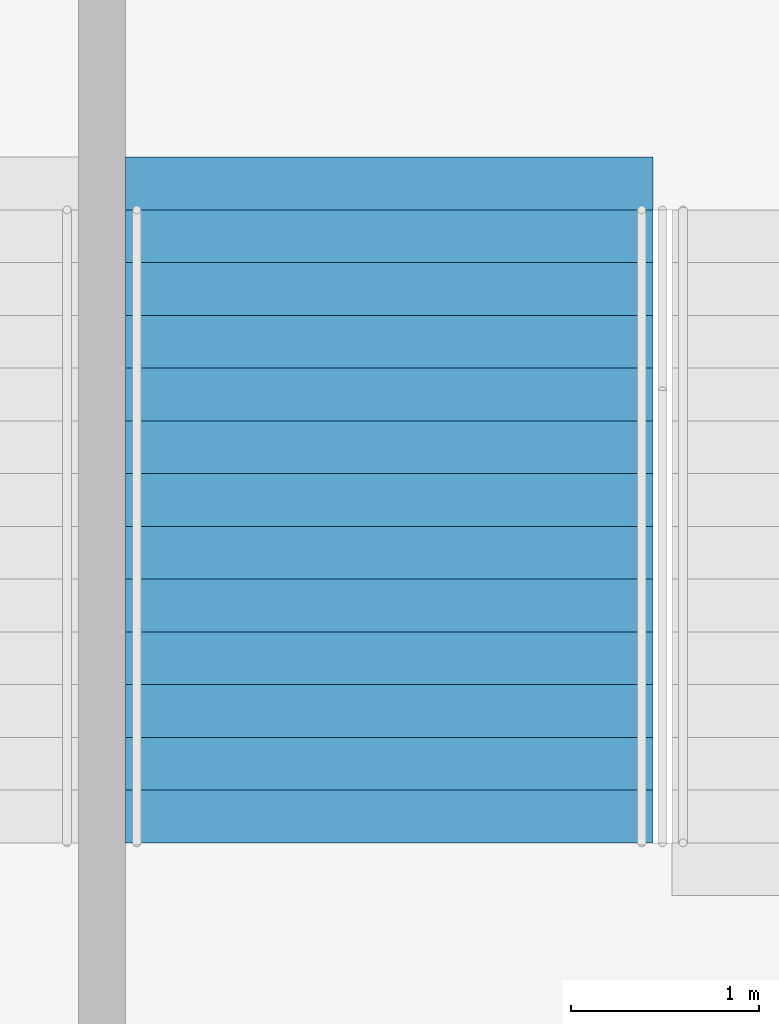
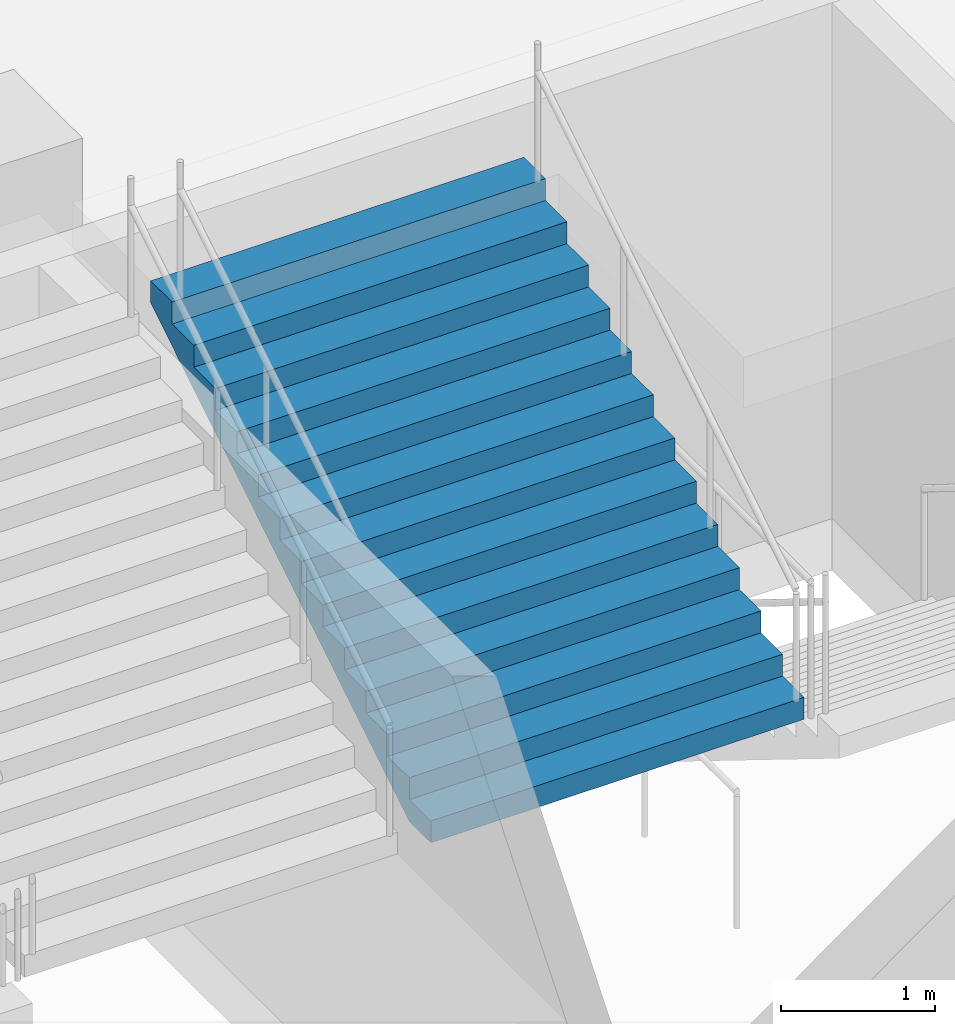
# One storey, part 123 of 199: 1 stair flight, 1 element without a shape of its own.
"""IFC4 building model written with IfcOpenShell, lengths in metres."""

from ifc_helpers import new_model, si_unit, direction, frame, origin, place, context, subcontext, project, spatial, faceted_brep, material, type_object, element, aggregate, save


model = new_model("IFC4")

# Units and contexts
model_context = context("Model", 3, precision=1e-05, world=origin(), true_north=direction((0.0, 1.0)))
body_context = subcontext(model_context, "Body", "Model", "MODEL_VIEW")
ifc_project = project(units=[si_unit("LENGTHUNIT", "METRE"), si_unit("AREAUNIT", "SQUARE_METRE"), si_unit("VOLUMEUNIT", "CUBIC_METRE"), si_unit("PLANEANGLEUNIT", "RADIAN"), si_unit("MASSUNIT", "GRAM", prefix="KILO")], contexts=[model_context])

# Site, building, storey
site_placement = place(None, origin())
site = spatial("IfcSite", under=ifc_project, at=site_placement, CompositionType="ELEMENT")
building_placement = place(site_placement, origin())
building = spatial("IfcBuilding", under=site, at=building_placement, Name="Ogive Plaza Stadium", CompositionType="ELEMENT")
storey_placement = place(building_placement, frame((0.0, 0.0, 9.0)))
storey = spatial("IfcBuildingStorey", under=building, at=storey_placement, Name="L02", CompositionType="ELEMENT", Elevation=9.0)

# Stair, stair flight
ifc_material_1 = material(Name="Concrete C40/50", Category="concrete")
stair_type = type_object("IfcStairType", Name="Exit stair", PredefinedType="STRAIGHT_RUN_STAIR", material=ifc_material_1)
stair_placement = place(storey_placement, origin())
stair = element("IfcStair", 1, at=stair_placement, inside=storey, type_object=stair_type, Name="Exit stair ST12B L02 to L03", PredefinedType="STRAIGHT_RUN_STAIR")
ifc_material_2 = material(Name="Concrete C40/50", Category="concrete")
stair_flight_type = type_object("IfcStairFlightType", Name="Exit stair flight", PredefinedType="STRAIGHT", material=ifc_material_2)
stair_flight_placement = place(storey_placement, frame((35.52490234375, -98.2099609375, 2.25), z_axis=(0.0, 0.0, 1.0), x_axis=(0.0, 1.0, 0.0)))
stair_flight = element("IfcStairFlight", 2, at=stair_flight_placement, type_object=stair_flight_type, Name="ST12B flight 2", NumberOfRisers=13, NumberOfTreads=12, PredefinedType="STRAIGHT", RiserHeight=0.173076923, TreadLength=0.28, context=body_context, shape_type="Brep", body=[
    faceted_brep([(0.28515625, -1.39990234375, 0.0), (3.639892578125, -1.39990234375, 2.07373046875), (3.639892578125, -1.39990234375, 2.25), (3.360107421875, -1.39990234375, 2.25), (3.360107421875, -1.39990234375, 2.076904296875), (3.080078125, -1.39990234375, 2.076904296875), (3.080078125, -1.39990234375, 1.90380859375), (2.800048828125, -1.39990234375, 1.90380859375), (2.800048828125, -1.39990234375, 1.730712890625), (2.52001953125, -1.39990234375, 1.730712890625), (2.52001953125, -1.39990234375, 1.5576171875), (2.239990234375, -1.39990234375, 1.5576171875), (2.239990234375, -1.39990234375, 1.384521484375), (1.9599609375, -1.39990234375, 1.384521484375), (1.9599609375, -1.39990234375, 1.21142578125), (1.679931640625, -1.39990234375, 1.21142578125), (1.679931640625, -1.39990234375, 1.03857421875), (1.39990234375, -1.39990234375, 1.03857421875), (1.39990234375, -1.39990234375, 0.865478515625), (1.1201171875, -1.39990234375, 0.865478515625), (1.1201171875, -1.39990234375, 0.6923828125), (0.840087890625, -1.39990234375, 0.6923828125), (0.840087890625, -1.39990234375, 0.519287109375), (0.56005859375, -1.39990234375, 0.519287109375), (0.56005859375, -1.39990234375, 0.34619140625), (0.280029296875, -1.39990234375, 0.34619140625), (0.280029296875, -1.39990234375, 0.173095703125), (0.0, -1.39990234375, 0.173095703125), (0.0, -1.39990234375, 0.0), (0.0, 1.39990234375, 0.0), (0.0, 1.39990234375, 0.173095703125), (0.280029296875, 1.39990234375, 0.173095703125), (0.280029296875, 1.39990234375, 0.34619140625), (0.56005859375, 1.39990234375, 0.34619140625), (0.56005859375, 1.39990234375, 0.519287109375), (0.840087890625, 1.39990234375, 0.519287109375), (0.840087890625, 1.39990234375, 0.6923828125), (1.1201171875, 1.39990234375, 0.6923828125), (1.1201171875, 1.39990234375, 0.865478515625), (1.39990234375, 1.39990234375, 0.865478515625), (1.39990234375, 1.39990234375, 1.03857421875), (1.679931640625, 1.39990234375, 1.03857421875), (1.679931640625, 1.39990234375, 1.21142578125), (1.9599609375, 1.39990234375, 1.21142578125), (1.9599609375, 1.39990234375, 1.384521484375), (2.239990234375, 1.39990234375, 1.384521484375), (2.239990234375, 1.39990234375, 1.5576171875), (2.52001953125, 1.39990234375, 1.5576171875), (2.52001953125, 1.39990234375, 1.730712890625), (2.800048828125, 1.39990234375, 1.730712890625), (2.800048828125, 1.39990234375, 1.90380859375), (3.080078125, 1.39990234375, 1.90380859375), (3.080078125, 1.39990234375, 2.076904296875), (3.360107421875, 1.39990234375, 2.076904296875), (3.360107421875, 1.39990234375, 2.25), (3.639892578125, 1.39990234375, 2.25), (3.639892578125, 1.39990234375, 2.07373046875), (0.28515625, 1.39990234375, 0.0), (0.28515625, -1.0888671875, 0.0), (3.639892578125, -1.0888671875, 2.07373046875), (0.28515625, -0.77783203125, 0.0), (3.639892578125, -0.77783203125, 2.07373046875), (0.28515625, -0.466796875, 0.0), (3.639892578125, -0.466796875, 2.07373046875), (0.28515625, -0.155517578125, 0.0), (3.639892578125, -0.155517578125, 2.07373046875), (0.28515625, 0.155517578125, 0.0), (3.639892578125, 0.155517578125, 2.07373046875), (0.28515625, 0.466796875, 0.0), (3.639892578125, 0.466796875, 2.07373046875), (0.28515625, 0.77783203125, 0.0), (3.639892578125, 0.77783203125, 2.07373046875), (0.28515625, 1.0888671875, 0.0), (3.639892578125, 1.0888671875, 2.07373046875), (3.639892578125, -1.0888671875, 2.25), (3.639892578125, -0.77783203125, 2.25), (3.639892578125, -0.466796875, 2.25), (3.639892578125, -0.155517578125, 2.25), (3.639892578125, 0.155517578125, 2.25), (3.639892578125, 0.466796875, 2.25), (3.639892578125, 0.77783203125, 2.25), (3.639892578125, 1.0888671875, 2.25), (3.360107421875, -1.0888671875, 2.25), (3.360107421875, -0.77783203125, 2.25), (3.360107421875, -0.466796875, 2.25), (3.360107421875, -0.155517578125, 2.25), (3.360107421875, 0.155517578125, 2.25), (3.360107421875, 0.466796875, 2.25), (3.360107421875, 0.77783203125, 2.25), (3.360107421875, 1.0888671875, 2.25), (3.360107421875, -1.0888671875, 2.076904296875), (3.360107421875, -0.77783203125, 2.076904296875), (3.360107421875, -0.466796875, 2.076904296875), (3.360107421875, -0.155517578125, 2.076904296875), (3.360107421875, 0.155517578125, 2.076904296875), (3.360107421875, 0.466796875, 2.076904296875), (3.360107421875, 0.77783203125, 2.076904296875), (3.360107421875, 1.0888671875, 2.076904296875), (3.080078125, -1.0888671875, 2.076904296875), (3.080078125, -0.77783203125, 2.076904296875), (3.080078125, -0.466796875, 2.076904296875), (3.080078125, -0.155517578125, 2.076904296875), (3.080078125, 0.155517578125, 2.076904296875), (3.080078125, 0.466796875, 2.076904296875), (3.080078125, 0.77783203125, 2.076904296875), (3.080078125, 1.0888671875, 2.076904296875), (3.080078125, -1.0888671875, 1.90380859375), (3.080078125, -0.77783203125, 1.90380859375), (3.080078125, -0.466796875, 1.90380859375), (3.080078125, -0.155517578125, 1.90380859375), (3.080078125, 0.155517578125, 1.90380859375), (3.080078125, 0.466796875, 1.90380859375), (3.080078125, 0.77783203125, 1.90380859375), (3.080078125, 1.0888671875, 1.90380859375), (2.800048828125, -1.0888671875, 1.90380859375), (2.800048828125, -0.77783203125, 1.90380859375), (2.800048828125, -0.466796875, 1.90380859375), (2.800048828125, -0.155517578125, 1.90380859375), (2.800048828125, 0.155517578125, 1.90380859375), (2.800048828125, 0.466796875, 1.90380859375), (2.800048828125, 0.77783203125, 1.90380859375), (2.800048828125, 1.0888671875, 1.90380859375), (2.800048828125, -1.0888671875, 1.730712890625), (2.800048828125, -0.77783203125, 1.730712890625), (2.800048828125, -0.466796875, 1.730712890625), (2.800048828125, -0.155517578125, 1.730712890625), (2.800048828125, 0.155517578125, 1.730712890625), (2.800048828125, 0.466796875, 1.730712890625), (2.800048828125, 0.77783203125, 1.730712890625), (2.800048828125, 1.0888671875, 1.730712890625), (2.52001953125, -1.0888671875, 1.730712890625), (2.52001953125, -0.77783203125, 1.730712890625), (2.52001953125, -0.466796875, 1.730712890625), (2.52001953125, -0.155517578125, 1.730712890625), (2.52001953125, 0.155517578125, 1.730712890625), (2.52001953125, 0.466796875, 1.730712890625), (2.52001953125, 0.77783203125, 1.730712890625), (2.52001953125, 1.0888671875, 1.730712890625), (2.52001953125, -1.0888671875, 1.5576171875), (2.52001953125, -0.77783203125, 1.5576171875), (2.52001953125, -0.466796875, 1.5576171875), (2.52001953125, -0.155517578125, 1.5576171875), (2.52001953125, 0.155517578125, 1.5576171875), (2.52001953125, 0.466796875, 1.5576171875), (2.52001953125, 0.77783203125, 1.5576171875), (2.52001953125, 1.0888671875, 1.5576171875), (2.239990234375, -1.0888671875, 1.5576171875), (2.239990234375, -0.77783203125, 1.5576171875), (2.239990234375, -0.466796875, 1.5576171875), (2.239990234375, -0.155517578125, 1.5576171875), (2.239990234375, 0.155517578125, 1.5576171875), (2.239990234375, 0.466796875, 1.5576171875), (2.239990234375, 0.77783203125, 1.5576171875), (2.239990234375, 1.0888671875, 1.5576171875), (2.239990234375, -1.0888671875, 1.384521484375), (2.239990234375, -0.77783203125, 1.384521484375), (2.239990234375, -0.466796875, 1.384521484375), (2.239990234375, -0.155517578125, 1.384521484375), (2.239990234375, 0.155517578125, 1.384521484375), (2.239990234375, 0.466796875, 1.384521484375), (2.239990234375, 0.77783203125, 1.384521484375), (2.239990234375, 1.0888671875, 1.384521484375), (1.9599609375, -1.0888671875, 1.384521484375), (1.9599609375, -0.77783203125, 1.384521484375), (1.9599609375, -0.466796875, 1.384521484375), (1.9599609375, -0.155517578125, 1.384521484375), (1.9599609375, 0.155517578125, 1.384521484375), (1.9599609375, 0.466796875, 1.384521484375), (1.9599609375, 0.77783203125, 1.384521484375), (1.9599609375, 1.0888671875, 1.384521484375), (1.9599609375, -1.0888671875, 1.21142578125), (1.9599609375, -0.77783203125, 1.21142578125), (1.9599609375, -0.466796875, 1.21142578125), (1.9599609375, -0.155517578125, 1.21142578125), (1.9599609375, 0.155517578125, 1.21142578125), (1.9599609375, 0.466796875, 1.21142578125), (1.9599609375, 0.77783203125, 1.21142578125), (1.9599609375, 1.0888671875, 1.21142578125), (1.679931640625, -1.0888671875, 1.21142578125), (1.679931640625, -0.77783203125, 1.21142578125), (1.679931640625, -0.466796875, 1.21142578125), (1.679931640625, -0.155517578125, 1.21142578125), (1.679931640625, 0.155517578125, 1.21142578125), (1.679931640625, 0.466796875, 1.21142578125), (1.679931640625, 0.77783203125, 1.21142578125), (1.679931640625, 1.0888671875, 1.21142578125), (1.679931640625, -1.0888671875, 1.03857421875), (1.679931640625, -0.77783203125, 1.03857421875), (1.679931640625, -0.466796875, 1.03857421875), (1.679931640625, -0.155517578125, 1.03857421875), (1.679931640625, 0.155517578125, 1.03857421875), (1.679931640625, 0.466796875, 1.03857421875), (1.679931640625, 0.77783203125, 1.03857421875), (1.679931640625, 1.0888671875, 1.03857421875), (1.39990234375, -1.0888671875, 1.03857421875), (1.39990234375, -0.77783203125, 1.03857421875), (1.39990234375, -0.466796875, 1.03857421875), (1.39990234375, -0.155517578125, 1.03857421875), (1.39990234375, 0.155517578125, 1.03857421875), (1.39990234375, 0.466796875, 1.03857421875), (1.39990234375, 0.77783203125, 1.03857421875), (1.39990234375, 1.0888671875, 1.03857421875), (1.39990234375, -1.0888671875, 0.865478515625), (1.39990234375, -0.77783203125, 0.865478515625), (1.39990234375, -0.466796875, 0.865478515625), (1.39990234375, -0.155517578125, 0.865478515625), (1.39990234375, 0.155517578125, 0.865478515625), (1.39990234375, 0.466796875, 0.865478515625), (1.39990234375, 0.77783203125, 0.865478515625), (1.39990234375, 1.0888671875, 0.865478515625), (1.1201171875, -1.0888671875, 0.865478515625), (1.1201171875, -0.77783203125, 0.865478515625), (1.1201171875, -0.466796875, 0.865478515625), (1.1201171875, -0.155517578125, 0.865478515625), (1.1201171875, 0.155517578125, 0.865478515625), (1.1201171875, 0.466796875, 0.865478515625), (1.1201171875, 0.77783203125, 0.865478515625), (1.1201171875, 1.0888671875, 0.865478515625), (1.1201171875, -1.0888671875, 0.6923828125), (1.1201171875, -0.77783203125, 0.6923828125), (1.1201171875, -0.466796875, 0.6923828125), (1.1201171875, -0.155517578125, 0.6923828125), (1.1201171875, 0.155517578125, 0.6923828125), (1.1201171875, 0.466796875, 0.6923828125), (1.1201171875, 0.77783203125, 0.6923828125), (1.1201171875, 1.0888671875, 0.6923828125), (0.840087890625, -1.0888671875, 0.6923828125), (0.840087890625, -0.77783203125, 0.6923828125), (0.840087890625, -0.466796875, 0.6923828125), (0.840087890625, -0.155517578125, 0.6923828125), (0.840087890625, 0.155517578125, 0.6923828125), (0.840087890625, 0.466796875, 0.6923828125), (0.840087890625, 0.77783203125, 0.6923828125), (0.840087890625, 1.0888671875, 0.6923828125), (0.840087890625, -1.0888671875, 0.519287109375), (0.840087890625, -0.77783203125, 0.519287109375), (0.840087890625, -0.466796875, 0.519287109375), (0.840087890625, -0.155517578125, 0.519287109375), (0.840087890625, 0.155517578125, 0.519287109375), (0.840087890625, 0.466796875, 0.519287109375), (0.840087890625, 0.77783203125, 0.519287109375), (0.840087890625, 1.0888671875, 0.519287109375), (0.56005859375, -1.0888671875, 0.519287109375), (0.56005859375, -0.77783203125, 0.519287109375), (0.56005859375, -0.466796875, 0.519287109375), (0.56005859375, -0.155517578125, 0.519287109375), (0.56005859375, 0.155517578125, 0.519287109375), (0.56005859375, 0.466796875, 0.519287109375), (0.56005859375, 0.77783203125, 0.519287109375), (0.56005859375, 1.0888671875, 0.519287109375), (0.56005859375, -1.0888671875, 0.34619140625), (0.56005859375, -0.77783203125, 0.34619140625), (0.56005859375, -0.466796875, 0.34619140625), (0.56005859375, -0.155517578125, 0.34619140625), (0.56005859375, 0.155517578125, 0.34619140625), (0.56005859375, 0.466796875, 0.34619140625), (0.56005859375, 0.77783203125, 0.34619140625), (0.56005859375, 1.0888671875, 0.34619140625), (0.280029296875, -1.0888671875, 0.34619140625), (0.280029296875, -0.77783203125, 0.34619140625), (0.280029296875, -0.466796875, 0.34619140625), (0.280029296875, -0.155517578125, 0.34619140625), (0.280029296875, 0.155517578125, 0.34619140625), (0.280029296875, 0.466796875, 0.34619140625), (0.280029296875, 0.77783203125, 0.34619140625), (0.280029296875, 1.0888671875, 0.34619140625), (0.280029296875, -1.0888671875, 0.173095703125), (0.280029296875, -0.77783203125, 0.173095703125), (0.280029296875, -0.466796875, 0.173095703125), (0.280029296875, -0.155517578125, 0.173095703125), (0.280029296875, 0.155517578125, 0.173095703125), (0.280029296875, 0.466796875, 0.173095703125), (0.280029296875, 0.77783203125, 0.173095703125), (0.280029296875, 1.0888671875, 0.173095703125), (0.0, -1.0888671875, 0.173095703125), (0.0, -0.77783203125, 0.173095703125), (0.0, -0.466796875, 0.173095703125), (0.0, -0.155517578125, 0.173095703125), (0.0, 0.155517578125, 0.173095703125), (0.0, 0.466796875, 0.173095703125), (0.0, 0.77783203125, 0.173095703125), (0.0, 1.0888671875, 0.173095703125), (0.0, -1.0888671875, 0.0), (0.0, -0.77783203125, 0.0), (0.0, -0.466796875, 0.0), (0.0, -0.155517578125, 0.0), (0.0, 0.155517578125, 0.0), (0.0, 0.466796875, 0.0), (0.0, 0.77783203125, 0.0), (0.0, 1.0888671875, 0.0)], [[[0, 1, 2, 3, 4, 5, 6, 7, 8, 9, 10, 11, 12, 13, 14, 15, 16, 17, 18, 19, 20, 21, 22, 23, 24, 25, 26, 27, 28]], [[29, 30, 31, 32, 33, 34, 35, 36, 37, 38, 39, 40, 41, 42, 43, 44, 45, 46, 47, 48, 49, 50, 51, 52, 53, 54, 55, 56, 57]], [[0, 58, 59, 1]], [[58, 60, 61, 59]], [[60, 62, 63, 61]], [[62, 64, 65, 63]], [[64, 66, 67, 65]], [[66, 68, 69, 67]], [[68, 70, 71, 69]], [[70, 72, 73, 71]], [[72, 57, 56, 73]], [[1, 59, 74, 2]], [[59, 61, 75, 74]], [[61, 63, 76, 75]], [[63, 65, 77, 76]], [[65, 67, 78, 77]], [[67, 69, 79, 78]], [[69, 71, 80, 79]], [[71, 73, 81, 80]], [[73, 56, 55, 81]], [[2, 74, 82, 3]], [[74, 75, 83, 82]], [[75, 76, 84, 83]], [[76, 77, 85, 84]], [[77, 78, 86, 85]], [[78, 79, 87, 86]], [[79, 80, 88, 87]], [[80, 81, 89, 88]], [[81, 55, 54, 89]], [[3, 82, 90, 4]], [[82, 83, 91, 90]], [[83, 84, 92, 91]], [[84, 85, 93, 92]], [[85, 86, 94, 93]], [[86, 87, 95, 94]], [[87, 88, 96, 95]], [[88, 89, 97, 96]], [[89, 54, 53, 97]], [[4, 90, 98, 5]], [[90, 91, 99, 98]], [[91, 92, 100, 99]], [[92, 93, 101, 100]], [[93, 94, 102, 101]], [[94, 95, 103, 102]], [[95, 96, 104, 103]], [[96, 97, 105, 104]], [[97, 53, 52, 105]], [[5, 98, 106, 6]], [[98, 99, 107, 106]], [[99, 100, 108, 107]], [[100, 101, 109, 108]], [[101, 102, 110, 109]], [[102, 103, 111, 110]], [[103, 104, 112, 111]], [[104, 105, 113, 112]], [[105, 52, 51, 113]], [[6, 106, 114, 7]], [[106, 107, 115, 114]], [[107, 108, 116, 115]], [[108, 109, 117, 116]], [[109, 110, 118, 117]], [[110, 111, 119, 118]], [[111, 112, 120, 119]], [[112, 113, 121, 120]], [[113, 51, 50, 121]], [[7, 114, 122, 8]], [[114, 115, 123, 122]], [[115, 116, 124, 123]], [[116, 117, 125, 124]], [[117, 118, 126, 125]], [[118, 119, 127, 126]], [[119, 120, 128, 127]], [[120, 121, 129, 128]], [[121, 50, 49, 129]], [[8, 122, 130, 9]], [[122, 123, 131, 130]], [[123, 124, 132, 131]], [[124, 125, 133, 132]], [[125, 126, 134, 133]], [[126, 127, 135, 134]], [[127, 128, 136, 135]], [[128, 129, 137, 136]], [[129, 49, 48, 137]], [[9, 130, 138, 10]], [[130, 131, 139, 138]], [[131, 132, 140, 139]], [[132, 133, 141, 140]], [[133, 134, 142, 141]], [[134, 135, 143, 142]], [[135, 136, 144, 143]], [[136, 137, 145, 144]], [[137, 48, 47, 145]], [[10, 138, 146, 11]], [[138, 139, 147, 146]], [[139, 140, 148, 147]], [[140, 141, 149, 148]], [[141, 142, 150, 149]], [[142, 143, 151, 150]], [[143, 144, 152, 151]], [[144, 145, 153, 152]], [[145, 47, 46, 153]], [[11, 146, 154, 12]], [[146, 147, 155, 154]], [[147, 148, 156, 155]], [[148, 149, 157, 156]], [[149, 150, 158, 157]], [[150, 151, 159, 158]], [[151, 152, 160, 159]], [[152, 153, 161, 160]], [[153, 46, 45, 161]], [[12, 154, 162, 13]], [[154, 155, 163, 162]], [[155, 156, 164, 163]], [[156, 157, 165, 164]], [[157, 158, 166, 165]], [[158, 159, 167, 166]], [[159, 160, 168, 167]], [[160, 161, 169, 168]], [[161, 45, 44, 169]], [[13, 162, 170, 14]], [[162, 163, 171, 170]], [[163, 164, 172, 171]], [[164, 165, 173, 172]], [[165, 166, 174, 173]], [[166, 167, 175, 174]], [[167, 168, 176, 175]], [[168, 169, 177, 176]], [[169, 44, 43, 177]], [[14, 170, 178, 15]], [[170, 171, 179, 178]], [[171, 172, 180, 179]], [[172, 173, 181, 180]], [[173, 174, 182, 181]], [[174, 175, 183, 182]], [[175, 176, 184, 183]], [[176, 177, 185, 184]], [[177, 43, 42, 185]], [[15, 178, 186, 16]], [[178, 179, 187, 186]], [[179, 180, 188, 187]], [[180, 181, 189, 188]], [[181, 182, 190, 189]], [[182, 183, 191, 190]], [[183, 184, 192, 191]], [[184, 185, 193, 192]], [[185, 42, 41, 193]], [[16, 186, 194, 17]], [[186, 187, 195, 194]], [[187, 188, 196, 195]], [[188, 189, 197, 196]], [[189, 190, 198, 197]], [[190, 191, 199, 198]], [[191, 192, 200, 199]], [[192, 193, 201, 200]], [[193, 41, 40, 201]], [[17, 194, 202, 18]], [[194, 195, 203, 202]], [[195, 196, 204, 203]], [[196, 197, 205, 204]], [[197, 198, 206, 205]], [[198, 199, 207, 206]], [[199, 200, 208, 207]], [[200, 201, 209, 208]], [[201, 40, 39, 209]], [[18, 202, 210, 19]], [[202, 203, 211, 210]], [[203, 204, 212, 211]], [[204, 205, 213, 212]], [[205, 206, 214, 213]], [[206, 207, 215, 214]], [[207, 208, 216, 215]], [[208, 209, 217, 216]], [[209, 39, 38, 217]], [[19, 210, 218, 20]], [[210, 211, 219, 218]], [[211, 212, 220, 219]], [[212, 213, 221, 220]], [[213, 214, 222, 221]], [[214, 215, 223, 222]], [[215, 216, 224, 223]], [[216, 217, 225, 224]], [[217, 38, 37, 225]], [[20, 218, 226, 21]], [[218, 219, 227, 226]], [[219, 220, 228, 227]], [[220, 221, 229, 228]], [[221, 222, 230, 229]], [[222, 223, 231, 230]], [[223, 224, 232, 231]], [[224, 225, 233, 232]], [[225, 37, 36, 233]], [[21, 226, 234, 22]], [[226, 227, 235, 234]], [[227, 228, 236, 235]], [[228, 229, 237, 236]], [[229, 230, 238, 237]], [[230, 231, 239, 238]], [[231, 232, 240, 239]], [[232, 233, 241, 240]], [[233, 36, 35, 241]], [[22, 234, 242, 23]], [[234, 235, 243, 242]], [[235, 236, 244, 243]], [[236, 237, 245, 244]], [[237, 238, 246, 245]], [[238, 239, 247, 246]], [[239, 240, 248, 247]], [[240, 241, 249, 248]], [[241, 35, 34, 249]], [[23, 242, 250, 24]], [[242, 243, 251, 250]], [[243, 244, 252, 251]], [[244, 245, 253, 252]], [[245, 246, 254, 253]], [[246, 247, 255, 254]], [[247, 248, 256, 255]], [[248, 249, 257, 256]], [[249, 34, 33, 257]], [[24, 250, 258, 25]], [[250, 251, 259, 258]], [[251, 252, 260, 259]], [[252, 253, 261, 260]], [[253, 254, 262, 261]], [[254, 255, 263, 262]], [[255, 256, 264, 263]], [[256, 257, 265, 264]], [[257, 33, 32, 265]], [[25, 258, 266, 26]], [[258, 259, 267, 266]], [[259, 260, 268, 267]], [[260, 261, 269, 268]], [[261, 262, 270, 269]], [[262, 263, 271, 270]], [[263, 264, 272, 271]], [[264, 265, 273, 272]], [[265, 32, 31, 273]], [[26, 266, 274, 27]], [[266, 267, 275, 274]], [[267, 268, 276, 275]], [[268, 269, 277, 276]], [[269, 270, 278, 277]], [[270, 271, 279, 278]], [[271, 272, 280, 279]], [[272, 273, 281, 280]], [[273, 31, 30, 281]], [[27, 274, 282, 28]], [[274, 275, 283, 282]], [[275, 276, 284, 283]], [[276, 277, 285, 284]], [[277, 278, 286, 285]], [[278, 279, 287, 286]], [[279, 280, 288, 287]], [[280, 281, 289, 288]], [[281, 30, 29, 289]], [[28, 282, 58, 0]], [[282, 283, 60, 58]], [[283, 284, 62, 60]], [[284, 285, 64, 62]], [[285, 286, 66, 64]], [[286, 287, 68, 66]], [[287, 288, 70, 68]], [[288, 289, 72, 70]], [[289, 29, 57, 72]]]),
])
aggregate(stair, [stair_flight])

save(model, "model.ifc")
